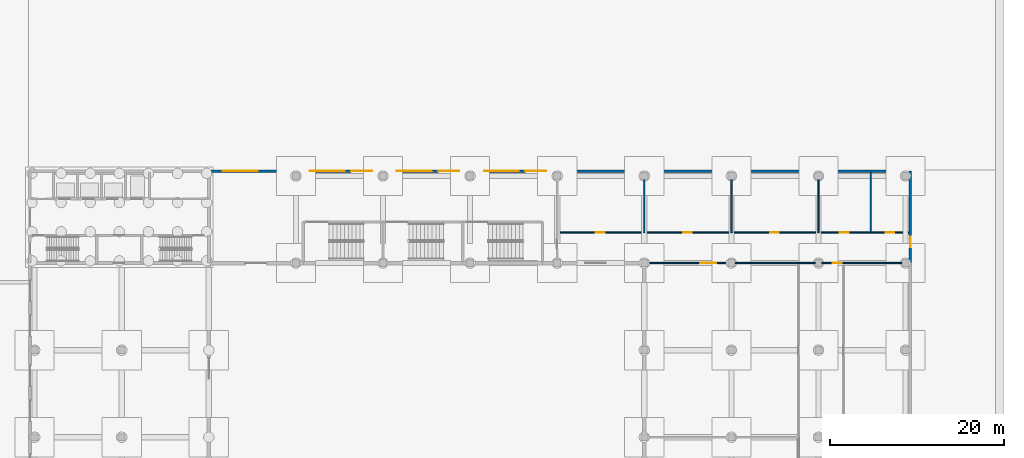
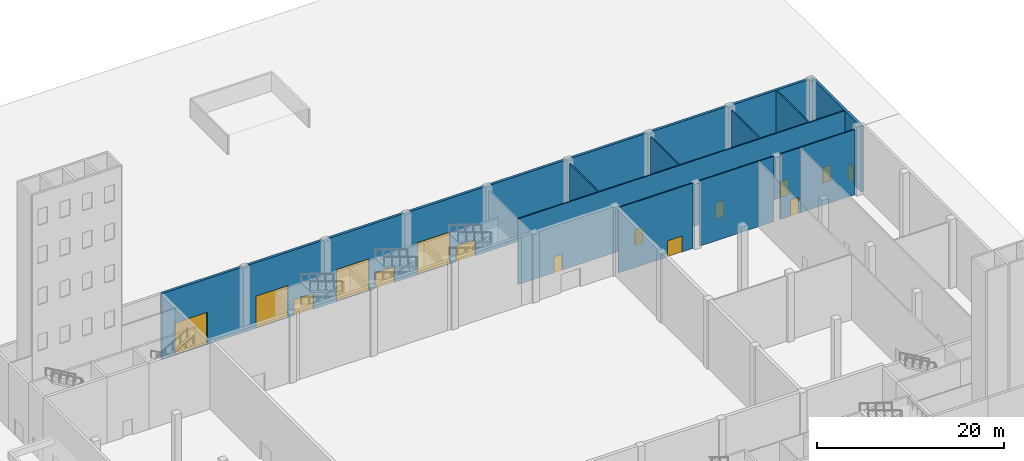
# One storey, part 39 of 63: 15 doors, 12 walls, 15 openings.
"""IFC4 building model written with IfcOpenShell, lengths in metres."""

from ifc_helpers import new_model, si_unit, direction, frame, frame_2d, origin, place, context, subcontext, project, spatial, rectangle, extrude, material, layer, layer_set, type_object, element, fill, save


model = new_model("IFC4")

# Units and contexts
model_context = context("Model", 3, precision=1e-05, world=origin(), true_north=direction((0.0, 1.0)))
body_context = subcontext(model_context, "Body", "Model", "MODEL_VIEW")
ifc_project = project(units=[si_unit("LENGTHUNIT", "METRE"), si_unit("AREAUNIT", "SQUARE_METRE"), si_unit("VOLUMEUNIT", "CUBIC_METRE"), si_unit("PLANEANGLEUNIT", "RADIAN"), si_unit("MASSUNIT", "GRAM", prefix="KILO")], contexts=[model_context])

# Site, building, storey
site_placement = place(None, origin())
site = spatial("IfcSite", under=ifc_project, at=site_placement, CompositionType="ELEMENT")
building_placement = place(site_placement, origin())
building = spatial("IfcBuilding", under=site, at=building_placement, Name="Jabali Bay Hotel Tower and Convention Centre", CompositionType="ELEMENT")
storey_placement = place(building_placement, origin())
storey = spatial("IfcBuildingStorey", under=building, at=storey_placement, Name="L00", CompositionType="ELEMENT", Elevation=0.0)

# Wall, openings, doors
ifc_material_1 = material(Name="Concrete C40", Category="concrete")
ifc_layer_1 = layer(ifc_material_1, 0.300048828125)
ifc_layer_set_1 = layer_set([ifc_layer_1], Name="Concrete C40")
wall_type_1 = type_object("IfcWallType", Name="CC External Wall 300", PredefinedType="SOLIDWALL", material=ifc_layer_set_1)
wall_1_placement = place(storey_placement, frame((170.699951171875, 110.550048828125, 0.0), z_axis=(0.0, 0.0, 1.0), x_axis=(1.0, 0.0, 0.0)))
wall_1 = element("IfcWall", 1, at=wall_1_placement, inside=storey, type_object=wall_type_1, Name="CC wall 265", PredefinedType="SOLIDWALL", context=body_context, shape_type="SweptSolid", body=[
    extrude(rectangle(XDim=80.550048828125, YDim=0.300048828125, at=frame_2d((40.27490234375, 0.0))), origin(), (0.0, 0.0, 1.0), 8.590087890625),
])
opening_1_placement = place(wall_1_placement, frame((1.60009765625, 0.0, 0.0)))
opening_1 = element("IfcOpeningElement", 2, at=opening_1_placement, cuts=wall_1, Name="Opening CC-D089", PredefinedType="OPENING", context=body_context, shape_type="SweptSolid", body=[
    extrude(rectangle(XDim=4.0, YDim=4.199951171875, at=frame_2d((2.0, 2.10009765625))), frame((0.0, 0.16064453125, 0.0), z_axis=(0.0, -1.0, 0.0), x_axis=(1.0, 0.0, 0.0)), (0.0, 0.0, 1.0), 0.321044921875),
])
opening_2_placement = place(wall_1_placement, frame((11.60009765625, 0.0, 0.0)))
opening_2 = element("IfcOpeningElement", 3, at=opening_2_placement, cuts=wall_1, Name="Opening CC-D090", PredefinedType="OPENING", context=body_context, shape_type="SweptSolid", body=[
    extrude(rectangle(XDim=4.0, YDim=4.199951171875, at=frame_2d((2.0, 2.10009765625))), frame((0.0, 0.16064453125, 0.0), z_axis=(0.0, -1.0, 0.0), x_axis=(1.0, 0.0, 0.0)), (0.0, 0.0, 1.0), 0.321044921875),
])
opening_3_placement = place(wall_1_placement, frame((21.60009765625, 0.0, 0.0)))
opening_3 = element("IfcOpeningElement", 4, at=opening_3_placement, cuts=wall_1, Name="Opening CC-D091", PredefinedType="OPENING", context=body_context, shape_type="SweptSolid", body=[
    extrude(rectangle(XDim=4.0, YDim=4.199951171875, at=frame_2d((2.0, 2.10009765625))), frame((0.0, 0.16064453125, 0.0), z_axis=(0.0, -1.0, 0.0), x_axis=(1.0, 0.0, 0.0)), (0.0, 0.0, 1.0), 0.321044921875),
])
opening_4_placement = place(wall_1_placement, frame((31.60009765625, 0.0, 0.0)))
opening_4 = element("IfcOpeningElement", 5, at=opening_4_placement, cuts=wall_1, Name="Opening CC-D092", PredefinedType="OPENING", context=body_context, shape_type="SweptSolid", body=[
    extrude(rectangle(XDim=4.0, YDim=4.199951171875, at=frame_2d((2.0, 2.10009765625))), frame((0.0, 0.16064453125, 0.0), z_axis=(0.0, -1.0, 0.0), x_axis=(1.0, 0.0, 0.0)), (0.0, 0.0, 1.0), 0.321044921875),
])
opening_5_placement = place(wall_1_placement, frame((16.35009765625, 0.0, 0.0)))
opening_5 = element("IfcOpeningElement", 6, at=opening_5_placement, cuts=wall_1, Name="Opening CC-D243", PredefinedType="OPENING", context=body_context, shape_type="SweptSolid", body=[
    extrude(rectangle(XDim=2.39990234375, YDim=2.10009765625, at=frame_2d((1.199951171875, 1.050048828125))), frame((0.0, 0.16064453125, 0.0), z_axis=(0.0, -1.0, 0.0), x_axis=(1.0, 0.0, 0.0)), (0.0, 0.0, 1.0), 0.321044921875),
])
opening_6_placement = place(wall_1_placement, frame((26.35009765625, 0.0, 0.0)))
opening_6 = element("IfcOpeningElement", 7, at=opening_6_placement, cuts=wall_1, Name="Opening CC-D244", PredefinedType="OPENING", context=body_context, shape_type="SweptSolid", body=[
    extrude(rectangle(XDim=2.39990234375, YDim=2.10009765625, at=frame_2d((1.199951171875, 1.050048828125))), frame((0.0, 0.16064453125, 0.0), z_axis=(0.0, -1.0, 0.0), x_axis=(1.0, 0.0, 0.0)), (0.0, 0.0, 1.0), 0.321044921875),
])
opening_7_placement = place(wall_1_placement, frame((36.35009765625, 0.0, 0.0)))
opening_7 = element("IfcOpeningElement", 8, at=opening_7_placement, cuts=wall_1, Name="Opening CC-D245", PredefinedType="OPENING", context=body_context, shape_type="SweptSolid", body=[
    extrude(rectangle(XDim=2.39990234375, YDim=2.10009765625, at=frame_2d((1.199951171875, 1.050048828125))), frame((0.0, 0.16064453125, 0.0), z_axis=(0.0, -1.0, 0.0), x_axis=(1.0, 0.0, 0.0)), (0.0, 0.0, 1.0), 0.321044921875),
])
ifc_material_2 = material(Name="Stainless steel door set", Category="steel")
door_type_1 = type_object("IfcDoorType", Name="CC Roller Shutter Door 4000x4200", OperationType="ROLLINGUP", PredefinedType="DOOR", material=ifc_material_2)
door_1_placement = place(opening_1_placement, origin())
door_1 = element("IfcDoor", 9, at=door_1_placement, inside=storey, type_object=door_type_1, Name="CC door CC-D089", OperationType="ROLLINGUP", OverallHeight=4.199951171875, OverallWidth=4.0, PredefinedType="DOOR", context=body_context, shape_type="SweptSolid", body=[
    extrude(rectangle(XDim=4.0, YDim=4.199951171875, at=frame_2d((2.0, 2.10009765625))), frame((0.0, 0.02490234375, 0.0), z_axis=(0.0, -1.0, 0.0), x_axis=(1.0, 0.0, 0.0)), (0.0, 0.0, 1.0), 0.050048828125),
])
fill(opening_1, door_1)
door_2_placement = place(opening_2_placement, origin())
door_2 = element("IfcDoor", 10, at=door_2_placement, inside=storey, type_object=door_type_1, Name="CC door CC-D090", OperationType="ROLLINGUP", OverallHeight=4.199951171875, OverallWidth=4.0, PredefinedType="DOOR", context=body_context, shape_type="SweptSolid", body=[
    extrude(rectangle(XDim=4.0, YDim=4.199951171875, at=frame_2d((2.0, 2.10009765625))), frame((0.0, 0.02490234375, 0.0), z_axis=(0.0, -1.0, 0.0), x_axis=(1.0, 0.0, 0.0)), (0.0, 0.0, 1.0), 0.050048828125),
])
fill(opening_2, door_2)
door_3_placement = place(opening_3_placement, origin())
door_3 = element("IfcDoor", 11, at=door_3_placement, inside=storey, type_object=door_type_1, Name="CC door CC-D091", OperationType="ROLLINGUP", OverallHeight=4.199951171875, OverallWidth=4.0, PredefinedType="DOOR", context=body_context, shape_type="SweptSolid", body=[
    extrude(rectangle(XDim=4.0, YDim=4.199951171875, at=frame_2d((2.0, 2.10009765625))), frame((0.0, 0.02490234375, 0.0), z_axis=(0.0, -1.0, 0.0), x_axis=(1.0, 0.0, 0.0)), (0.0, 0.0, 1.0), 0.050048828125),
])
fill(opening_3, door_3)
door_4_placement = place(opening_4_placement, origin())
door_4 = element("IfcDoor", 12, at=door_4_placement, inside=storey, type_object=door_type_1, Name="CC door CC-D092", OperationType="ROLLINGUP", OverallHeight=4.199951171875, OverallWidth=4.0, PredefinedType="DOOR", context=body_context, shape_type="SweptSolid", body=[
    extrude(rectangle(XDim=4.0, YDim=4.199951171875, at=frame_2d((2.0, 2.10009765625))), frame((0.0, 0.02490234375, 0.0), z_axis=(0.0, -1.0, 0.0), x_axis=(1.0, 0.0, 0.0)), (0.0, 0.0, 1.0), 0.050048828125),
])
fill(opening_4, door_4)
ifc_material_3 = material(Name="Timber and steel door set", Category="steel")
door_type_2 = type_object("IfcDoorType", Name="CC Stair Door Pair 2400x2100", OperationType="NOTDEFINED", PredefinedType="DOOR", material=ifc_material_3)
door_5_placement = place(opening_5_placement, origin())
door_5 = element("IfcDoor", 13, at=door_5_placement, inside=storey, type_object=door_type_2, Name="CC door CC-D243", OperationType="DOUBLE_DOOR_SINGLE_SWING", OverallHeight=2.10009765625, OverallWidth=2.39990234375, PredefinedType="DOOR", context=body_context, shape_type="SweptSolid", body=[
    extrude(rectangle(XDim=2.39990234375, YDim=2.10009765625, at=frame_2d((1.199951171875, 1.050048828125))), frame((0.0, 0.02490234375, 0.0), z_axis=(0.0, -1.0, 0.0), x_axis=(1.0, 0.0, 0.0)), (0.0, 0.0, 1.0), 0.050048828125),
])
fill(opening_5, door_5)
door_6_placement = place(opening_6_placement, origin())
door_6 = element("IfcDoor", 14, at=door_6_placement, inside=storey, type_object=door_type_2, Name="CC door CC-D244", OperationType="DOUBLE_DOOR_SINGLE_SWING", OverallHeight=2.10009765625, OverallWidth=2.39990234375, PredefinedType="DOOR", context=body_context, shape_type="SweptSolid", body=[
    extrude(rectangle(XDim=2.39990234375, YDim=2.10009765625, at=frame_2d((1.199951171875, 1.050048828125))), frame((0.0, 0.02490234375, 0.0), z_axis=(0.0, -1.0, 0.0), x_axis=(1.0, 0.0, 0.0)), (0.0, 0.0, 1.0), 0.050048828125),
])
fill(opening_6, door_6)
door_7_placement = place(opening_7_placement, origin())
door_7 = element("IfcDoor", 15, at=door_7_placement, inside=storey, type_object=door_type_2, Name="CC door CC-D245", OperationType="DOUBLE_DOOR_SINGLE_SWING", OverallHeight=2.10009765625, OverallWidth=2.39990234375, PredefinedType="DOOR", context=body_context, shape_type="SweptSolid", body=[
    extrude(rectangle(XDim=2.39990234375, YDim=2.10009765625, at=frame_2d((1.199951171875, 1.050048828125))), frame((0.0, 0.02490234375, 0.0), z_axis=(0.0, -1.0, 0.0), x_axis=(1.0, 0.0, 0.0)), (0.0, 0.0, 1.0), 0.050048828125),
])
fill(opening_7, door_7)

# Wall, opening, door
wall_2_placement = place(storey_placement, frame((251.25, 110.550048828125, 0.0), z_axis=(0.0, 0.0, 1.0), x_axis=(0.0, -1.0, 0.0)))
wall_2 = element("IfcWall", 16, at=wall_2_placement, inside=storey, type_object=wall_type_1, Name="CC wall 269", PredefinedType="SOLIDWALL", context=body_context, shape_type="SweptSolid", body=[
    extrude(rectangle(XDim=10.550048828125, YDim=0.300048828125, at=frame_2d((5.27490234375, 0.0))), origin(), (0.0, 0.0, 1.0), 8.590087890625),
])
opening_8_placement = place(wall_2_placement, frame((7.550048828125, 0.0, 0.0)))
opening_8 = element("IfcOpeningElement", 17, at=opening_8_placement, cuts=wall_2, Name="Opening CC-D101", PredefinedType="OPENING", context=body_context, shape_type="SweptSolid", body=[
    extrude(rectangle(XDim=1.199951171875, YDim=2.10009765625, at=frame_2d((0.60009765625, 1.050048828125))), frame((0.0, 0.16064453125, 0.0), z_axis=(0.0, -1.0, 0.0), x_axis=(1.0, 0.0, 0.0)), (0.0, 0.0, 1.0), 0.321044921875),
])
door_type_3 = type_object("IfcDoorType", Name="CC Exit Door 1200x2100", OperationType="NOTDEFINED", PredefinedType="DOOR", material=ifc_material_3)
door_8_placement = place(opening_8_placement, origin())
door_8 = element("IfcDoor", 18, at=door_8_placement, inside=storey, type_object=door_type_3, Name="CC door CC-D101", OperationType="SINGLE_SWING_LEFT", OverallHeight=2.10009765625, OverallWidth=1.199951171875, PredefinedType="DOOR", context=body_context, shape_type="SweptSolid", body=[
    extrude(rectangle(XDim=1.199951171875, YDim=2.10009765625, at=frame_2d((0.60009765625, 1.050048828125))), frame((0.0, 0.02490234375, 0.0), z_axis=(0.0, -1.0, 0.0), x_axis=(1.0, 0.0, 0.0)), (0.0, 0.0, 1.0), 0.050048828125),
])
fill(opening_8, door_8)

ifc_material_4 = material(Name="Blockwork M10", Category="masonry")
ifc_layer_2 = layer(ifc_material_4, 0.14990234375)
ifc_layer_set_2 = layer_set([ifc_layer_2], Name="Blockwork M10")
wall_type_2 = type_object("IfcWallType", Name="CC Partition 150", PredefinedType="PARTITIONING", material=ifc_layer_set_2)
wall_3_placement = place(storey_placement, frame((221.10009765625, 100.0, 0.0), z_axis=(0.0, 0.0, 1.0), x_axis=(1.0, 0.0, 0.0)))
wall_3 = element("IfcWall", 19, at=wall_3_placement, inside=storey, type_object=wall_type_2, Name="CC wall 336", PredefinedType="PARTITIONING", context=body_context, shape_type="SweptSolid", body=[
    extrude(rectangle(XDim=9.199951171875, YDim=0.14990234375, at=frame_2d((4.60009765625, 0.0))), origin(), (0.0, 0.0, 1.0), 8.5400390625),
])
opening_9_placement = place(wall_3_placement, frame((6.050048828125, 0.0, 0.0)))
opening_9 = element("IfcOpeningElement", 20, at=opening_9_placement, cuts=wall_3, Name="Opening CC-D080", PredefinedType="OPENING", context=body_context, shape_type="SweptSolid", body=[
    extrude(rectangle(XDim=1.800048828125, YDim=2.10009765625, at=frame_2d((0.89990234375, 1.050048828125))), frame((0.0, 0.08544921875, 0.0), z_axis=(0.0, -1.0, 0.0), x_axis=(1.0, 0.0, 0.0)), (0.0, 0.0, 1.0), 0.1708984375),
])
door_type_4 = type_object("IfcDoorType", Name="CC Double Door 1800x2100", OperationType="NOTDEFINED", PredefinedType="DOOR", material=ifc_material_3)
door_9_placement = place(opening_9_placement, origin())
door_9 = element("IfcDoor", 21, at=door_9_placement, inside=storey, type_object=door_type_4, Name="CC door CC-D080", OperationType="DOUBLE_DOOR_SINGLE_SWING", OverallHeight=2.10009765625, OverallWidth=1.800048828125, PredefinedType="DOOR", context=body_context, shape_type="SweptSolid", body=[
    extrude(rectangle(XDim=1.800048828125, YDim=2.10009765625, at=frame_2d((0.89990234375, 1.050048828125))), frame((0.0, 0.02490234375, 0.0), z_axis=(0.0, -1.0, 0.0), x_axis=(1.0, 0.0, 0.0)), (0.0, 0.0, 1.0), 0.050048828125),
])
fill(opening_9, door_9)

# Walls
wall_4_placement = place(storey_placement, frame((231.10009765625, 100.0, 0.0), z_axis=(0.0, 0.0, 1.0), x_axis=(1.0, 0.0, 0.0)))
element("IfcWall", 22, at=wall_4_placement, inside=storey, type_object=wall_type_2, Name="CC wall 337", PredefinedType="PARTITIONING", context=body_context, shape_type="SweptSolid", body=[
    extrude(rectangle(XDim=7.2998046875, YDim=0.14990234375, at=frame_2d((3.64990234375, 0.0))), origin(), (0.0, 0.0, 1.0), 8.5400390625),
])
wall_5_placement = place(storey_placement, frame((238.39990234375, 100.0, 0.0), z_axis=(0.0, 0.0, 1.0), x_axis=(1.0, 0.0, 0.0)))
element("IfcWall", 23, at=wall_5_placement, inside=storey, type_object=wall_type_2, Name="CC wall 340", PredefinedType="PARTITIONING", context=body_context, shape_type="SweptSolid", body=[
    extrude(rectangle(XDim=1.900146484375, YDim=0.14990234375, at=frame_2d((0.9501953125, 0.0))), origin(), (0.0, 0.0, 1.0), 8.5400390625),
])

# Wall, opening, door
wall_6_placement = place(storey_placement, frame((241.10009765625, 100.0, 0.0), z_axis=(0.0, 0.0, 1.0), x_axis=(1.0, 0.0, 0.0)))
wall_6 = element("IfcWall", 24, at=wall_6_placement, inside=storey, type_object=wall_type_2, Name="CC wall 341", PredefinedType="PARTITIONING", context=body_context, shape_type="SweptSolid", body=[
    extrude(rectangle(XDim=2.474853515625, YDim=0.14990234375, at=frame_2d((1.2373046875, 0.0))), origin(), (0.0, 0.0, 1.0), 8.5400390625),
])
opening_10_placement = place(wall_6_placement, frame((1.25, 0.0, 0.0)))
opening_10 = element("IfcOpeningElement", 25, at=opening_10_placement, cuts=wall_6, Name="Opening CC-D081", PredefinedType="OPENING", context=body_context, shape_type="SweptSolid", body=[
    extrude(rectangle(XDim=1.0, YDim=2.10009765625, at=frame_2d((0.5, 1.050048828125))), frame((0.0, 0.08544921875, 0.0), z_axis=(0.0, -1.0, 0.0), x_axis=(1.0, 0.0, 0.0)), (0.0, 0.0, 1.0), 0.1708984375),
])
door_type_5 = type_object("IfcDoorType", Name="CC Single Door 1000x2100", OperationType="NOTDEFINED", PredefinedType="DOOR", material=ifc_material_3)
door_10_placement = place(opening_10_placement, origin())
door_10 = element("IfcDoor", 26, at=door_10_placement, inside=storey, type_object=door_type_5, Name="CC door CC-D081", OperationType="SINGLE_SWING_LEFT", OverallHeight=2.10009765625, OverallWidth=1.0, PredefinedType="DOOR", context=body_context, shape_type="SweptSolid", body=[
    extrude(rectangle(XDim=1.0, YDim=2.10009765625, at=frame_2d((0.5, 1.050048828125))), frame((0.0, 0.02490234375, 0.0), z_axis=(0.0, -1.0, 0.0), x_axis=(1.0, 0.0, 0.0)), (0.0, 0.0, 1.0), 0.050048828125),
])
fill(opening_10, door_10)

# Wall
wall_7_placement = place(storey_placement, frame((243.574951171875, 100.0, 0.0), z_axis=(0.0, 0.0, 1.0), x_axis=(1.0, 0.0, 0.0)))
element("IfcWall", 27, at=wall_7_placement, inside=storey, type_object=wall_type_2, Name="CC wall 344", PredefinedType="PARTITIONING", context=body_context, shape_type="SweptSolid", body=[
    extrude(rectangle(XDim=6.72509765625, YDim=0.14990234375, at=frame_2d((3.362548828125, 0.0))), origin(), (0.0, 0.0, 1.0), 8.5400390625),
])

# Wall, openings, doors
wall_8_placement = place(storey_placement, frame((251.10009765625, 103.5, 0.0), z_axis=(0.0, 0.0, 1.0), x_axis=(-1.0, 0.0, 0.0)))
wall_8 = element("IfcWall", 28, at=wall_8_placement, inside=storey, type_object=wall_type_2, Name="CC wall 375", PredefinedType="PARTITIONING", context=body_context, shape_type="SweptSolid", body=[
    extrude(rectangle(XDim=40.400146484375, YDim=0.14990234375, at=frame_2d((20.2001953125, 0.0))), origin(), (0.0, 0.0, 1.0), 8.590087890625),
])
opening_11_placement = place(wall_8_placement, frame((34.949951171875, 0.0, 0.0)))
opening_11 = element("IfcOpeningElement", 29, at=opening_11_placement, cuts=wall_8, Name="Opening CC-D075", PredefinedType="OPENING", context=body_context, shape_type="SweptSolid", body=[
    extrude(rectangle(XDim=1.0, YDim=2.10009765625, at=frame_2d((0.5, 1.050048828125))), frame((0.0, 0.08544921875, 0.0), z_axis=(0.0, -1.0, 0.0), x_axis=(1.0, 0.0, 0.0)), (0.0, 0.0, 1.0), 0.1708984375),
])
opening_12_placement = place(wall_8_placement, frame((24.949951171875, 0.0, 0.0)))
opening_12 = element("IfcOpeningElement", 30, at=opening_12_placement, cuts=wall_8, Name="Opening CC-D076", PredefinedType="OPENING", context=body_context, shape_type="SweptSolid", body=[
    extrude(rectangle(XDim=1.0, YDim=2.10009765625, at=frame_2d((0.5, 1.050048828125))), frame((0.0, 0.08544921875, 0.0), z_axis=(0.0, -1.0, 0.0), x_axis=(1.0, 0.0, 0.0)), (0.0, 0.0, 1.0), 0.1708984375),
])
opening_13_placement = place(wall_8_placement, frame((14.949951171875, 0.0, 0.0)))
opening_13 = element("IfcOpeningElement", 31, at=opening_13_placement, cuts=wall_8, Name="Opening CC-D077", PredefinedType="OPENING", context=body_context, shape_type="SweptSolid", body=[
    extrude(rectangle(XDim=1.0, YDim=2.10009765625, at=frame_2d((0.5, 1.050048828125))), frame((0.0, 0.08544921875, 0.0), z_axis=(0.0, -1.0, 0.0), x_axis=(1.0, 0.0, 0.0)), (0.0, 0.0, 1.0), 0.1708984375),
])
opening_14_placement = place(wall_8_placement, frame((6.949951171875, 0.0, 0.0)))
opening_14 = element("IfcOpeningElement", 32, at=opening_14_placement, cuts=wall_8, Name="Opening CC-D078", PredefinedType="OPENING", context=body_context, shape_type="SweptSolid", body=[
    extrude(rectangle(XDim=1.0, YDim=2.10009765625, at=frame_2d((0.5, 1.050048828125))), frame((0.0, 0.08544921875, 0.0), z_axis=(0.0, -1.0, 0.0), x_axis=(1.0, 0.0, 0.0)), (0.0, 0.0, 1.0), 0.1708984375),
])
opening_15_placement = place(wall_8_placement, frame((1.699951171875, 0.0, 0.0)))
opening_15 = element("IfcOpeningElement", 33, at=opening_15_placement, cuts=wall_8, Name="Opening CC-D079", PredefinedType="OPENING", context=body_context, shape_type="SweptSolid", body=[
    extrude(rectangle(XDim=1.0, YDim=2.10009765625, at=frame_2d((0.5, 1.050048828125))), frame((0.0, 0.08544921875, 0.0), z_axis=(0.0, -1.0, 0.0), x_axis=(1.0, 0.0, 0.0)), (0.0, 0.0, 1.0), 0.1708984375),
])
door_11_placement = place(opening_11_placement, origin())
door_11 = element("IfcDoor", 34, at=door_11_placement, inside=storey, type_object=door_type_5, Name="CC door CC-D075", OperationType="SINGLE_SWING_LEFT", OverallHeight=2.10009765625, OverallWidth=1.0, PredefinedType="DOOR", context=body_context, shape_type="SweptSolid", body=[
    extrude(rectangle(XDim=1.0, YDim=2.10009765625, at=frame_2d((0.5, 1.050048828125))), frame((0.0, 0.02490234375, 0.0), z_axis=(0.0, -1.0, 0.0), x_axis=(1.0, 0.0, 0.0)), (0.0, 0.0, 1.0), 0.050048828125),
])
fill(opening_11, door_11)
door_12_placement = place(opening_12_placement, origin())
door_12 = element("IfcDoor", 35, at=door_12_placement, inside=storey, type_object=door_type_5, Name="CC door CC-D076", OperationType="SINGLE_SWING_RIGHT", OverallHeight=2.10009765625, OverallWidth=1.0, PredefinedType="DOOR", context=body_context, shape_type="SweptSolid", body=[
    extrude(rectangle(XDim=1.0, YDim=2.10009765625, at=frame_2d((0.5, 1.050048828125))), frame((0.0, 0.02490234375, 0.0), z_axis=(0.0, -1.0, 0.0), x_axis=(1.0, 0.0, 0.0)), (0.0, 0.0, 1.0), 0.050048828125),
])
fill(opening_12, door_12)
door_13_placement = place(opening_13_placement, origin())
door_13 = element("IfcDoor", 36, at=door_13_placement, inside=storey, type_object=door_type_5, Name="CC door CC-D077", OperationType="SINGLE_SWING_LEFT", OverallHeight=2.10009765625, OverallWidth=1.0, PredefinedType="DOOR", context=body_context, shape_type="SweptSolid", body=[
    extrude(rectangle(XDim=1.0, YDim=2.10009765625, at=frame_2d((0.5, 1.050048828125))), frame((0.0, 0.02490234375, 0.0), z_axis=(0.0, -1.0, 0.0), x_axis=(1.0, 0.0, 0.0)), (0.0, 0.0, 1.0), 0.050048828125),
])
fill(opening_13, door_13)
door_14_placement = place(opening_14_placement, origin())
door_14 = element("IfcDoor", 37, at=door_14_placement, inside=storey, type_object=door_type_5, Name="CC door CC-D078", OperationType="SINGLE_SWING_RIGHT", OverallHeight=2.10009765625, OverallWidth=1.0, PredefinedType="DOOR", context=body_context, shape_type="SweptSolid", body=[
    extrude(rectangle(XDim=1.0, YDim=2.10009765625, at=frame_2d((0.5, 1.050048828125))), frame((0.0, 0.02490234375, 0.0), z_axis=(0.0, -1.0, 0.0), x_axis=(1.0, 0.0, 0.0)), (0.0, 0.0, 1.0), 0.050048828125),
])
fill(opening_14, door_14)
door_15_placement = place(opening_15_placement, origin())
door_15 = element("IfcDoor", 38, at=door_15_placement, inside=storey, type_object=door_type_5, Name="CC door CC-D079", OperationType="SINGLE_SWING_LEFT", OverallHeight=2.10009765625, OverallWidth=1.0, PredefinedType="DOOR", context=body_context, shape_type="SweptSolid", body=[
    extrude(rectangle(XDim=1.0, YDim=2.10009765625, at=frame_2d((0.5, 1.050048828125))), frame((0.0, 0.02490234375, 0.0), z_axis=(0.0, -1.0, 0.0), x_axis=(1.0, 0.0, 0.0)), (0.0, 0.0, 1.0), 0.050048828125),
])
fill(opening_15, door_15)

# Walls
for number, where, z_axis, x_axis, name in (
    (39, (220.699951171875, 103.5, 0.0), (0.0, 0.0, 1.0), (0.0, 1.0, 0.0), "CC wall 376"),
    (40, (230.699951171875, 103.5, 0.0), (0.0, 0.0, 1.0), (0.0, 1.0, 0.0), "CC wall 377"),
    (41, (240.699951171875, 103.5, 0.0), (0.0, 0.0, 1.0), (0.0, 1.0, 0.0), "CC wall 378"),
):
    element("IfcWall", number, at=place(storey_placement, frame(where, z_axis=z_axis, x_axis=x_axis)), inside=storey, type_object=wall_type_2, Name=name, PredefinedType="PARTITIONING", context=body_context, shape_type="SweptSolid", body=[
        extrude(rectangle(XDim=6.10009765625, YDim=0.14990234375, at=frame_2d((3.050048828125, 0.0))), origin(), (0.0, 0.0, 1.0), 8.590087890625),
    ])
wall_9_placement = place(storey_placement, frame((246.699951171875, 103.5, 0.0), z_axis=(0.0, 0.0, 1.0), x_axis=(0.0, 1.0, 0.0)))
element("IfcWall", 42, at=wall_9_placement, inside=storey, type_object=wall_type_2, Name="CC wall 379", PredefinedType="PARTITIONING", context=body_context, shape_type="SweptSolid", body=[
    extrude(rectangle(XDim=6.89990234375, YDim=0.14990234375, at=frame_2d((3.449951171875, 0.0))), origin(), (0.0, 0.0, 1.0), 8.590087890625),
])

save(model, "model.ifc")
